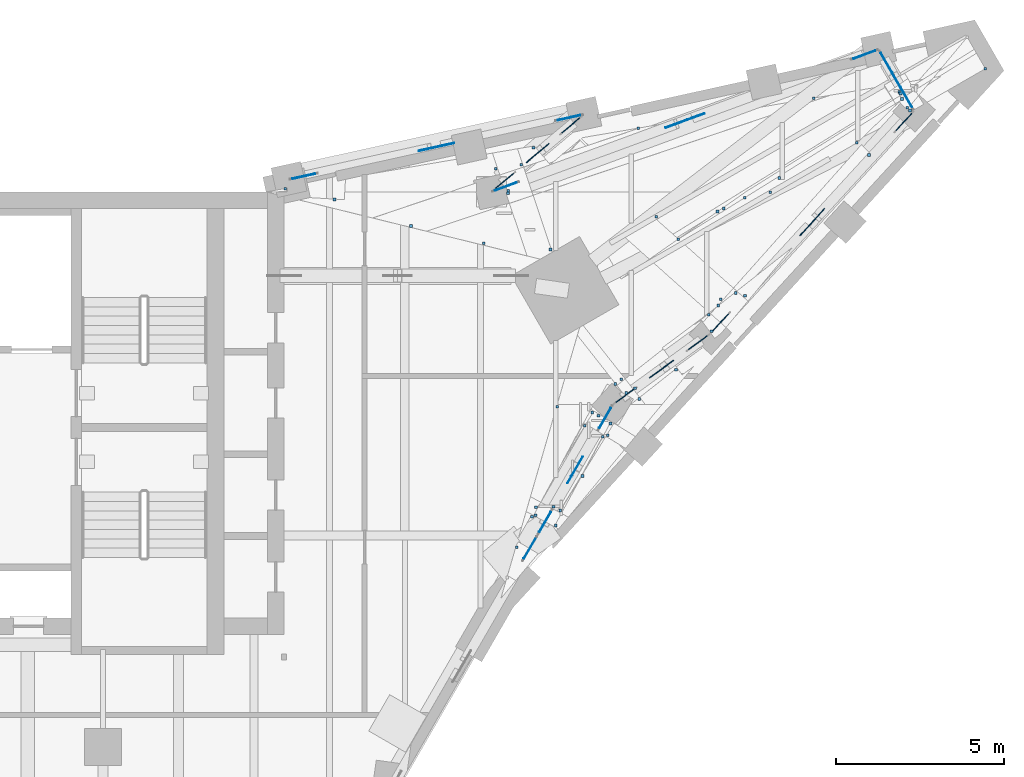
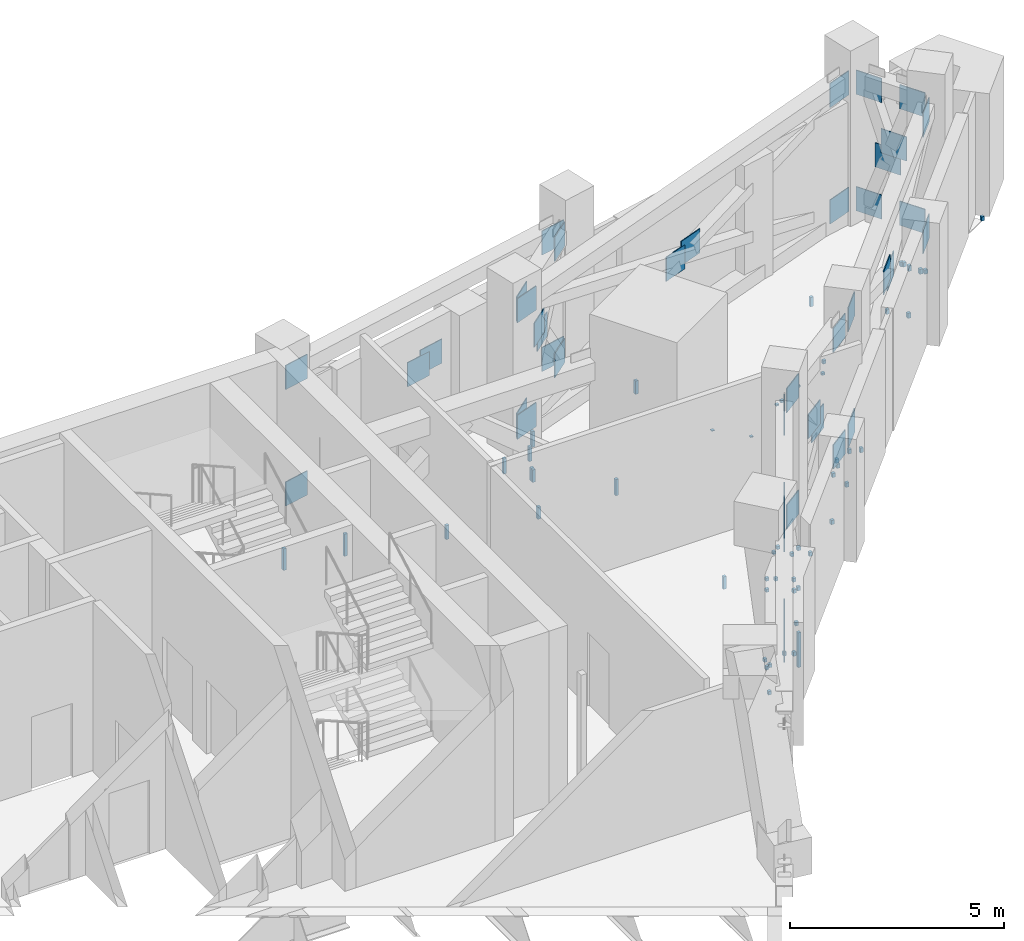
# One storey, part 20 of 23: 98 discrete accessories.
"""IFC4 building model written with IfcOpenShell, lengths in metres."""

from ifc_helpers import new_model, si_unit, direction, frame, origin, origin_2d, place, context, subcontext, project, spatial, rectangle, extrude, material, type_object, element, save


model = new_model("IFC4")

# Units and contexts
model_context = context("Model", 3, precision=1e-05, world=origin(), true_north=direction((0.0, 1.0)))
body_context = subcontext(model_context, "Body", "Model", "MODEL_VIEW")
ifc_project = project(units=[si_unit("LENGTHUNIT", "METRE"), si_unit("AREAUNIT", "SQUARE_METRE"), si_unit("VOLUMEUNIT", "CUBIC_METRE"), si_unit("PLANEANGLEUNIT", "RADIAN"), si_unit("MASSUNIT", "GRAM", prefix="KILO")], contexts=[model_context])

# Site, building, storey
site_placement = place(None, origin())
site = spatial("IfcSite", under=ifc_project, at=site_placement, CompositionType="ELEMENT")
building_placement = place(site_placement, origin())
building = spatial("IfcBuilding", under=site, at=building_placement, Name="Calabash Gate Tower", CompositionType="ELEMENT")
storey_placement = place(building_placement, frame((0.0, 0.0, 243.199951171875)))
storey = spatial("IfcBuildingStorey", under=building, at=storey_placement, Name="L58", CompositionType="ELEMENT", Elevation=243.199951171875)

# Discrete accessories
ifc_material_1 = material(Name="Steel ASTM A572 Gr50", Category="steel")
discrete_accessory_type_1 = type_object("IfcDiscreteAccessoryType", Name="Connection plate 25", PredefinedType="BRACKET", material=ifc_material_1)
for number, where, z_axis, x_axis, name in (
    (1, (21.715576171875, 8.4130859375, 3.3798828125), (0.0, 0.0, 1.0), (0.500000045345, 0.866025377604, 0.0), "Connection plate Belt diagonal L58 43 end"),
    (2, (21.715576171875, 8.4130859375, 0.0625), (0.0, 0.0, 1.0), (0.50000018138, 0.866025299065, 0.0), "Connection plate Belt diagonal (split) L58 45 half 2 of 2 end"),
    (3, (22.176513671875, 9.211181640625, 0.0625), (0.0, 0.0, 1.0), (0.50000009069, 0.866025351425, 0.0), "Connection plate Belt diagonal L58 48 start"),
    (4, (23.965576171875, 12.31005859375, 3.3798828125), (0.0, 0.0, 1.0), (0.50000009069, 0.866025351425, 0.0), "Connection plate Belt diagonal L58 48 end"),
    (5, (22.176513671875, 9.211181640625, 3.3798828125), (0.0, 0.0, 1.0), (0.49999987908, 0.866025473598, 0.0), "Connection plate Belt diagonal (split) L58 49 half 1 of 2 start"),
    (6, (23.014892578125, 10.66357421875, 1.8251953125), (0.0, 0.0, 1.0), (0.49999987908, 0.866025473598, 0.0), "Connection plate Belt diagonal (split) L58 49 half 1 of 2 end"),
    (7, (23.126953125, 10.857666015625, 1.6171875), (0.0, 0.0, 1.0), (0.49999987908, 0.866025473598, 0.0), "Connection plate Belt diagonal (split) L58 50 half 2 of 2 start"),
    (8, (23.965576171875, 12.31005859375, 0.0625), (0.0, 0.0, 1.0), (0.49999987908, 0.866025473598, 0.0), "Connection plate Belt diagonal (split) L58 50 half 2 of 2 end"),
    (9, (24.5673828125, 12.9794921875, 0.0625), (0.0, 0.0, 1.0), (0.808482218213, 0.588520605276, 0.0), "Connection plate Belt diagonal L58 53 start"),
    (10, (26.73291015625, 14.555908203125, 3.3798828125), (0.0, 0.0, 1.0), (0.808482218213, 0.588520605276, 0.0), "Connection plate Belt diagonal L58 53 end"),
    (11, (24.5673828125, 12.9794921875, 3.3798828125), (0.0, 0.0, 1.0), (0.808482033323, 0.588520859268, 0.0), "Connection plate Belt diagonal (split) L58 54 half 1 of 2 start"),
    (12, (25.571044921875, 13.710205078125, 1.84228515625), (0.0, 0.0, 1.0), (0.808482033323, 0.588520859268, 0.0), "Connection plate Belt diagonal (split) L58 54 half 1 of 2 end"),
    (13, (25.729248046875, 13.825439453125, 1.60009765625), (0.0, 0.0, 1.0), (0.808482033323, 0.588520859268, 0.0), "Connection plate Belt diagonal (split) L58 55 half 2 of 2 start"),
    (14, (26.73291015625, 14.555908203125, 0.0625), (0.0, 0.0, 1.0), (0.808482033323, 0.588520859268, 0.0), "Connection plate Belt diagonal (split) L58 55 half 2 of 2 end"),
    (15, (27.407958984375, 15.158203125, 0.0625), (0.0, 0.0, 1.0), (0.674856054399, 0.737949392466, 0.0), "Connection plate Belt diagonal L58 58 start"),
    (16, (32.874267578125, 21.1357421875, 3.3798828125), (0.0, 0.0, 1.0), (0.674856054399, 0.737949392466, 0.0), "Connection plate Belt diagonal L58 58 end"),
    (17, (27.407958984375, 15.158203125, 3.3798828125), (0.0, 0.0, 1.0), (0.674856067279, 0.737949380687, 0.0), "Connection plate Belt diagonal (split) L58 59 half 1 of 2 start"),
    (18, (30.00537109375, 17.99853515625, 1.8037109375), (0.0, 0.0, 1.0), (0.674856067279, 0.737949380687, 0.0), "Connection plate Belt diagonal (split) L58 59 half 1 of 2 end"),
    (19, (30.27685546875, 18.29541015625, 1.638671875), (0.0, 0.0, 1.0), (0.674856067279, 0.737949380687, 0.0), "Connection plate Belt diagonal (split) L58 60 half 2 of 2 start"),
    (20, (32.874267578125, 21.1357421875, 0.0625), (0.0, 0.0, 1.0), (0.674856067279, 0.737949380687, 0.0), "Connection plate Belt diagonal (split) L58 60 half 2 of 2 end"),
    (21, (32.94189453125, 21.87646484375, 0.0625), (0.0, 0.0, 1.0), (-0.49999981862, 0.866025508504, 0.0), "Connection plate Belt diagonal L58 63 start"),
    (22, (32.357421875, 22.88916015625, 3.3798828125), (0.0, 0.0, 1.0), (-0.49999981862, 0.866025508504, 0.0), "Connection plate Belt diagonal L58 63 end"),
    (23, (32.94189453125, 21.87646484375, 3.3798828125), (0.0, 0.0, 1.0), (-0.49999975816, 0.866025543411, 0.0), "Connection plate Belt diagonal (split) L58 64 half 1 of 2 start"),
    (24, (32.68994140625, 22.312744140625, 1.9501953125), (0.0, 0.0, 1.0), (-0.49999975816, 0.866025543411, 0.0), "Connection plate Belt diagonal (split) L58 64 half 1 of 2 end"),
    (25, (32.609130859375, 22.452880859375, 1.4921875), (0.0, 0.0, 1.0), (-0.49999975816, 0.866025543411, 0.0), "Connection plate Belt diagonal (split) L58 65 half 2 of 2 start"),
    (26, (32.357421875, 22.88916015625, 0.0625), (0.0, 0.0, 1.0), (-0.49999975816, 0.866025543411, 0.0), "Connection plate Belt diagonal (split) L58 65 half 2 of 2 end"),
    (27, (31.695068359375, 23.14111328125, 0.0625), (0.0, 0.0, 1.0), (-0.938551160023, -0.345140145478, 0.0), "Connection plate Belt diagonal L58 68 start"),
    (28, (21.003173828125, 19.209228515625, 3.3798828125), (0.0, 0.0, 1.0), (-0.938551160023, -0.345140145478, 0.0), "Connection plate Belt diagonal L58 68 end"),
    (29, (31.695068359375, 23.14111328125, 3.3798828125), (0.0, 0.0, 1.0), (-0.938551166046, -0.345140129097, 0.0), "Connection plate Belt diagonal (split) L58 69 half 1 of 2 start"),
    (30, (26.60498046875, 21.269287109375, 1.80078125), (0.0, 0.0, 1.0), (-0.938551166046, -0.345140129097, 0.0), "Connection plate Belt diagonal (split) L58 69 half 1 of 2 end"),
    (31, (26.09326171875, 21.0810546875, 1.6416015625), (0.0, 0.0, 1.0), (-0.938551166046, -0.345140129097, 0.0), "Connection plate Belt diagonal (split) L58 70 half 2 of 2 start"),
    (32, (21.003173828125, 19.209228515625, 0.0625), (0.0, 0.0, 1.0), (-0.938551166046, -0.345140129097, 0.0), "Connection plate Belt diagonal (split) L58 70 half 2 of 2 end"),
    (33, (20.966064453125, 19.378173828125, 0.0625), (0.0, 0.0, 1.0), (0.766903641735, 0.641762264623, 0.0), "Connection plate Belt diagonal L58 73 start"),
    (34, (22.94384765625, 21.033203125, 3.3798828125), (0.0, 0.0, 1.0), (0.766903641735, 0.641762264623, 0.0), "Connection plate Belt diagonal L58 73 end"),
    (35, (20.966064453125, 19.378173828125, 3.3798828125), (0.0, 0.0, 1.0), (0.766903428918, 0.641762518938, 0.0), "Connection plate Belt diagonal (split) L58 74 half 1 of 2 start"),
    (36, (21.880859375, 20.1435546875, 1.84521484375), (0.0, 0.0, 1.0), (0.766903428918, 0.641762518938, 0.0), "Connection plate Belt diagonal (split) L58 74 half 1 of 2 end"),
    (37, (22.02880859375, 20.267578125, 1.59716796875), (0.0, 0.0, 1.0), (0.766903428918, 0.641762518938, 0.0), "Connection plate Belt diagonal (split) L58 75 half 2 of 2 start"),
    (38, (22.94384765625, 21.033203125, 0.0625), (0.0, 0.0, 1.0), (0.766903428918, 0.641762518938, 0.0), "Connection plate Belt diagonal (split) L58 75 half 2 of 2 end"),
    (39, (22.893310546875, 21.26171875, 0.0625), (0.0, 0.0, 1.0), (-0.976510974107, -0.215467671471, 0.0), "Connection plate Belt diagonal L58 78 start"),
    (40, (14.983642578125, 19.516357421875, 3.3798828125), (0.0, 0.0, 1.0), (-0.976510974107, -0.215467671471, 0.0), "Connection plate Belt diagonal L58 78 end"),
    (41, (22.893310546875, 21.26171875, 3.3798828125), (0.0, 0.0, 1.0), (-0.976510974107, -0.215467671471, 0.0), "Connection plate Belt diagonal (split) L58 79 half 1 of 2 start"),
    (42, (19.134765625, 20.432373046875, 1.8037109375), (0.0, 0.0, 1.0), (-0.976510974107, -0.215467671471, 0.0), "Connection plate Belt diagonal (split) L58 79 half 1 of 2 end"),
    (43, (18.7421875, 20.345703125, 1.638671875), (0.0, 0.0, 1.0), (-0.976510974107, -0.215467671471, 0.0), "Connection plate Belt diagonal (split) L58 80 half 2 of 2 start"),
    (44, (14.983642578125, 19.516357421875, 0.0625), (0.0, 0.0, 1.0), (-0.976510974107, -0.215467671471, 0.0), "Connection plate Belt diagonal (split) L58 80 half 2 of 2 end"),
):
    element("IfcDiscreteAccessory", number, at=place(storey_placement, frame(where, z_axis=z_axis, x_axis=x_axis)), inside=storey, type_object=discrete_accessory_type_1, Name=name, PredefinedType="BRACKET", context=body_context, shape_type="SweptSolid", body=[
        extrude(rectangle(XDim=0.687744140625, YDim=0.02490234375, at=origin_2d()), origin(), (0.0, 0.0, 1.0), 0.687744140625),
    ])
ifc_material_2 = material(Name="Stainless steel 316 bracket", Category="steel")
discrete_accessory_type_2 = type_object("IfcDiscreteAccessoryType", Name="Soffit bracket 80x80x120", PredefinedType="BRACKET", material=ifc_material_2)
discrete_accessory_1_placement = place(storey_placement, frame((29.15966796875, 19.46533203125, -0.960693359375), z_axis=(0.0, 0.0, 1.0), x_axis=(1.0, 0.0, 0.0)))
element("IfcDiscreteAccessory", 45, at=discrete_accessory_1_placement, inside=storey, type_object=discrete_accessory_type_2, Name="Soffit bracket Z5 NE SOF-Z5-NE-01", PredefinedType="BRACKET", context=body_context, shape_type="SweptSolid", body=[
    extrude(rectangle(XDim=0.080078125, YDim=0.080078125, at=origin_2d()), origin(), (0.0, 0.0, 1.0), 0.0908203125),
])
discrete_accessory_2_placement = place(storey_placement, frame((28.885986328125, 19.042724609375, -0.933349609375), z_axis=(0.0, 0.0, 1.0), x_axis=(1.0, 0.0, 0.0)))
element("IfcDiscreteAccessory", 46, at=discrete_accessory_2_placement, inside=storey, type_object=discrete_accessory_type_2, Name="Soffit bracket Z5 NE SOF-Z5-NE-02", PredefinedType="BRACKET", context=body_context, shape_type="SweptSolid", body=[
    extrude(rectangle(XDim=0.080078125, YDim=0.080078125, at=origin_2d()), origin(), (0.0, 0.0, 1.0), 0.0634765625),
])
discrete_accessory_3_placement = place(storey_placement, frame((31.47314453125, 20.51953125, -0.99755859375), z_axis=(0.0, 0.0, 1.0), x_axis=(1.0, 0.0, 0.0)))
element("IfcDiscreteAccessory", 47, at=discrete_accessory_3_placement, inside=storey, type_object=discrete_accessory_type_2, Name="Soffit bracket Z5 NE SOF-Z5-NE-03", PredefinedType="BRACKET", context=body_context, shape_type="SweptSolid", body=[
    extrude(rectangle(XDim=0.080078125, YDim=0.080078125, at=origin_2d()), origin(), (0.0, 0.0, 1.0), 0.127685546875),
])
discrete_accessory_4_placement = place(storey_placement, frame((27.31591796875, 18.467529296875, -0.91162109375), z_axis=(0.0, 0.0, 1.0), x_axis=(1.0, 0.0, 0.0)))
element("IfcDiscreteAccessory", 48, at=discrete_accessory_4_placement, inside=storey, type_object=discrete_accessory_type_2, Name="Soffit bracket Z5 NE SOF-Z5-NE-05", PredefinedType="BRACKET", context=body_context, shape_type="SweptSolid", body=[
    extrude(rectangle(XDim=0.080078125, YDim=0.080078125, at=origin_2d()), origin(), (0.0, 0.0, 1.0), 0.041748046875),
])
discrete_accessory_5_placement = place(storey_placement, frame((30.189697265625, 21.84375, -1.1337890625), z_axis=(0.0, 0.0, 1.0), x_axis=(1.0, 0.0, 0.0)))
element("IfcDiscreteAccessory", 49, at=discrete_accessory_5_placement, inside=storey, type_object=discrete_accessory_type_2, Name="Soffit bracket Z5 NE SOF-Z5-NE-06", PredefinedType="BRACKET", context=body_context, shape_type="SweptSolid", body=[
    extrude(rectangle(XDim=0.080078125, YDim=0.080078125, at=origin_2d()), origin(), (0.0, 0.0, 1.0), 0.263916015625),
])
discrete_accessory_6_placement = place(storey_placement, frame((25.49072265625, 18.307861328125, -0.891845703125), z_axis=(0.0, 0.0, 1.0), x_axis=(1.0, 0.0, 0.0)))
element("IfcDiscreteAccessory", 50, at=discrete_accessory_6_placement, inside=storey, type_object=discrete_accessory_type_2, Name="Soffit bracket Z5 NE SOF-Z5-NE-07", PredefinedType="BRACKET", context=body_context, shape_type="SweptSolid", body=[
    extrude(rectangle(XDim=0.080078125, YDim=0.080078125, at=origin_2d()), origin(), (0.0, 0.0, 1.0), 0.02197265625),
])
discrete_accessory_7_placement = place(storey_placement, frame((27.41845703125, 15.85107421875, -0.98486328125), z_axis=(0.0, 0.0, 1.0), x_axis=(1.0, 0.0, 0.0)))
element("IfcDiscreteAccessory", 51, at=discrete_accessory_7_placement, inside=storey, type_object=discrete_accessory_type_2, Name="Soffit bracket Z5 NE SOF-Z5-NE-08", PredefinedType="BRACKET", context=body_context, shape_type="SweptSolid", body=[
    extrude(rectangle(XDim=0.080078125, YDim=0.080078125, at=origin_2d()), origin(), (0.0, 0.0, 1.0), 0.114990234375),
])
discrete_accessory_8_placement = place(storey_placement, frame((20.708740234375, 19.741943359375, -1.303466796875), z_axis=(0.0, 0.0, 1.0), x_axis=(1.0, 0.0, 0.0)))
element("IfcDiscreteAccessory", 52, at=discrete_accessory_8_placement, inside=storey, type_object=discrete_accessory_type_2, Name="Soffit bracket Z5 NE SOF-Z5-NE-09", PredefinedType="BRACKET", context=body_context, shape_type="SweptSolid", body=[
    extrude(rectangle(XDim=0.080078125, YDim=0.080078125, at=origin_2d()), origin(), (0.0, 0.0, 1.0), 0.43359375),
])
discrete_accessory_9_placement = place(storey_placement, frame((31.832275390625, 20.149658203125, -1.013427734375), z_axis=(0.0, 0.0, 1.0), x_axis=(1.0, 0.0, 0.0)))
element("IfcDiscreteAccessory", 53, at=discrete_accessory_9_placement, inside=storey, type_object=discrete_accessory_type_2, Name="Soffit bracket Z5 NE SOF-Z5-NE-10", PredefinedType="BRACKET", context=body_context, shape_type="SweptSolid", body=[
    extrude(rectangle(XDim=0.080078125, YDim=0.080078125, at=origin_2d()), origin(), (0.0, 0.0, 1.0), 0.1435546875),
])
discrete_accessory_10_placement = place(storey_placement, frame((26.1474609375, 17.637451171875, -0.89453125), z_axis=(0.0, 0.0, 1.0), x_axis=(1.0, 0.0, 0.0)))
element("IfcDiscreteAccessory", 54, at=discrete_accessory_10_placement, inside=storey, type_object=discrete_accessory_type_2, Name="Soffit bracket Z5 NE SOF-Z5-NE-11", PredefinedType="BRACKET", context=body_context, shape_type="SweptSolid", body=[
    extrude(rectangle(XDim=0.080078125, YDim=0.080078125, at=origin_2d()), origin(), (0.0, 0.0, 1.0), 0.024658203125),
])
discrete_accessory_11_placement = place(storey_placement, frame((20.35107421875, 17.52099609375, -1.119140625), z_axis=(0.0, 0.0, 1.0), x_axis=(1.0, 0.0, 0.0)))
element("IfcDiscreteAccessory", 55, at=discrete_accessory_11_placement, inside=storey, type_object=discrete_accessory_type_2, Name="Soffit bracket Z5 NE SOF-Z5-NE-12", PredefinedType="BRACKET", context=body_context, shape_type="SweptSolid", body=[
    extrude(rectangle(XDim=0.080078125, YDim=0.080078125, at=origin_2d()), origin(), (0.0, 0.0, 1.0), 0.34716796875),
])
discrete_accessory_12_placement = place(storey_placement, frame((18.179443359375, 18.033935546875, -1.24658203125), z_axis=(0.0, 0.0, 1.0), x_axis=(1.0, 0.0, 0.0)))
element("IfcDiscreteAccessory", 56, at=discrete_accessory_12_placement, inside=storey, type_object=discrete_accessory_type_2, Name="Soffit bracket Z5 NE SOF-Z5-NE-13", PredefinedType="BRACKET", context=body_context, shape_type="SweptSolid", body=[
    extrude(rectangle(XDim=0.080078125, YDim=0.080078125, at=origin_2d()), origin(), (0.0, 0.0, 1.0), 0.3984375),
])
discrete_accessory_13_placement = place(storey_placement, frame((22.537841796875, 12.64892578125, -0.9248046875), z_axis=(0.0, 0.0, 1.0), x_axis=(1.0, 0.0, 0.0)))
element("IfcDiscreteAccessory", 57, at=discrete_accessory_13_placement, inside=storey, type_object=discrete_accessory_type_2, Name="Soffit bracket Z5 NE SOF-Z5-NE-14", PredefinedType="BRACKET", context=body_context, shape_type="SweptSolid", body=[
    extrude(rectangle(XDim=0.080078125, YDim=0.080078125, at=origin_2d()), origin(), (0.0, 0.0, 1.0), 0.3564453125),
])
discrete_accessory_14_placement = place(storey_placement, frame((24.2646484375, 13.3232421875, -0.95458984375), z_axis=(0.0, 0.0, 1.0), x_axis=(1.0, 0.0, 0.0)))
element("IfcDiscreteAccessory", 58, at=discrete_accessory_14_placement, inside=storey, type_object=discrete_accessory_type_2, Name="Soffit bracket Z5 NE SOF-Z5-NE-15", PredefinedType="BRACKET", context=body_context, shape_type="SweptSolid", body=[
    extrude(rectangle(XDim=0.080078125, YDim=0.080078125, at=origin_2d()), origin(), (0.0, 0.0, 1.0), 0.084716796875),
])
discrete_accessory_15_placement = place(storey_placement, frame((15.897216796875, 18.823486328125, -1.40283203125), z_axis=(0.0, 0.0, 1.0), x_axis=(1.0, 0.0, 0.0)))
element("IfcDiscreteAccessory", 59, at=discrete_accessory_15_placement, inside=storey, type_object=discrete_accessory_type_2, Name="Soffit bracket Z5 NE SOF-Z5-NE-16", PredefinedType="BRACKET", context=body_context, shape_type="SweptSolid", body=[
    extrude(rectangle(XDim=0.080078125, YDim=0.080078125, at=origin_2d()), origin(), (0.0, 0.0, 1.0), 0.630859375),
])
discrete_accessory_16_placement = place(storey_placement, frame((22.4306640625, 9.65966796875, -0.977783203125), z_axis=(0.0, 0.0, 1.0), x_axis=(1.0, 0.0, 0.0)))
element("IfcDiscreteAccessory", 60, at=discrete_accessory_16_placement, inside=storey, type_object=discrete_accessory_type_2, Name="Soffit bracket Z5 NE SOF-Z5-NE-17", PredefinedType="BRACKET", context=body_context, shape_type="SweptSolid", body=[
    extrude(rectangle(XDim=0.080078125, YDim=0.080078125, at=origin_2d()), origin(), (0.0, 0.0, 1.0), 0.10791015625),
])
discrete_accessory_17_placement = place(storey_placement, frame((22.339599609375, 17.33154296875, -1.02734375), z_axis=(0.0, 0.0, 1.0), x_axis=(1.0, 0.0, 0.0)))
element("IfcDiscreteAccessory", 61, at=discrete_accessory_17_placement, inside=storey, type_object=discrete_accessory_type_2, Name="Soffit bracket Z5 NE SOF-Z5-NE-18", PredefinedType="BRACKET", context=body_context, shape_type="SweptSolid", body=[
    extrude(rectangle(XDim=0.080078125, YDim=0.080078125, at=origin_2d()), origin(), (0.0, 0.0, 1.0), 0.458984375),
])
discrete_accessory_18_placement = place(storey_placement, frame((23.29150390625, 10.58251953125, -0.981689453125), z_axis=(0.0, 0.0, 1.0), x_axis=(1.0, 0.0, 0.0)))
element("IfcDiscreteAccessory", 62, at=discrete_accessory_18_placement, inside=storey, type_object=discrete_accessory_type_2, Name="Soffit bracket Z5 NE SOF-Z5-NE-19", PredefinedType="BRACKET", context=body_context, shape_type="SweptSolid", body=[
    extrude(rectangle(XDim=0.080078125, YDim=0.080078125, at=origin_2d()), origin(), (0.0, 0.0, 1.0), 0.11181640625),
])
discrete_accessory_19_placement = place(storey_placement, frame((27.501220703125, 18.5556640625, -0.936767578125), z_axis=(0.0, 0.0, 1.0), x_axis=(1.0, 0.0, 0.0)))
element("IfcDiscreteAccessory", 63, at=discrete_accessory_19_placement, inside=storey, type_object=discrete_accessory_type_2, Name="Soffit bracket Z5 NE SOF-Z5-NE-20", PredefinedType="BRACKET", context=body_context, shape_type="SweptSolid", body=[
    extrude(rectangle(XDim=0.080078125, YDim=0.080078125, at=origin_2d()), origin(), (0.0, 0.0, 1.0), 0.06689453125),
])
discrete_accessory_20_placement = place(storey_placement, frame((24.859130859375, 13.198486328125, -0.971435546875), z_axis=(0.0, 0.0, 1.0), x_axis=(1.0, 0.0, 0.0)))
element("IfcDiscreteAccessory", 64, at=discrete_accessory_20_placement, inside=storey, type_object=discrete_accessory_type_2, Name="Soffit bracket Z5 NE SOF-Z5-NE-22", PredefinedType="BRACKET", context=body_context, shape_type="SweptSolid", body=[
    extrude(rectangle(XDim=0.080078125, YDim=0.080078125, at=origin_2d()), origin(), (0.0, 0.0, 1.0), 0.1015625),
])
discrete_accessory_21_placement = place(storey_placement, frame((28.13134765625, 18.879638671875, -0.922607421875), z_axis=(0.0, 0.0, 1.0), x_axis=(1.0, 0.0, 0.0)))
element("IfcDiscreteAccessory", 65, at=discrete_accessory_21_placement, inside=storey, type_object=discrete_accessory_type_2, Name="Soffit bracket Z5 NE SOF-Z5-NE-23", PredefinedType="BRACKET", context=body_context, shape_type="SweptSolid", body=[
    extrude(rectangle(XDim=0.080078125, YDim=0.080078125, at=origin_2d()), origin(), (0.0, 0.0, 1.0), 0.052734375),
])
discrete_accessory_22_placement = place(storey_placement, frame((26.080322265625, 13.75048828125, -0.9912109375), z_axis=(0.0, 0.0, 1.0), x_axis=(1.0, 0.0, 0.0)))
element("IfcDiscreteAccessory", 66, at=discrete_accessory_22_placement, inside=storey, type_object=discrete_accessory_type_2, Name="Soffit bracket Z5 NE SOF-Z5-NE-26", PredefinedType="BRACKET", context=body_context, shape_type="SweptSolid", body=[
    extrude(rectangle(XDim=0.080078125, YDim=0.080078125, at=origin_2d()), origin(), (0.0, 0.0, 1.0), 0.121337890625),
])
discrete_accessory_23_placement = place(storey_placement, frame((24.452392578125, 13.462646484375, -0.95654296875), z_axis=(0.0, 0.0, 1.0), x_axis=(1.0, 0.0, 0.0)))
element("IfcDiscreteAccessory", 67, at=discrete_accessory_23_placement, inside=storey, type_object=discrete_accessory_type_2, Name="Soffit bracket Z5 NE SOF-Z5-NE-27", PredefinedType="BRACKET", context=body_context, shape_type="SweptSolid", body=[
    extrude(rectangle(XDim=0.080078125, YDim=0.080078125, at=origin_2d()), origin(), (0.0, 0.0, 1.0), 0.086669921875),
])
discrete_accessory_24_placement = place(storey_placement, frame((27.865478515625, 16.03857421875, -0.992431640625), z_axis=(0.0, 0.0, 1.0), x_axis=(1.0, 0.0, 0.0)))
element("IfcDiscreteAccessory", 68, at=discrete_accessory_24_placement, inside=storey, type_object=discrete_accessory_type_2, Name="Soffit bracket Z5 NE SOF-Z5-NE-28", PredefinedType="BRACKET", context=body_context, shape_type="SweptSolid", body=[
    extrude(rectangle(XDim=0.080078125, YDim=0.080078125, at=origin_2d()), origin(), (0.0, 0.0, 1.0), 0.12255859375),
])
discrete_accessory_25_placement = place(storey_placement, frame((21.33056640625, 8.456298828125, -0.97314453125), z_axis=(0.0, 0.0, 1.0), x_axis=(1.0, 0.0, 0.0)))
element("IfcDiscreteAccessory", 69, at=discrete_accessory_25_placement, inside=storey, type_object=discrete_accessory_type_2, Name="Soffit bracket Z5 NE SOF-Z5-NE-29", PredefinedType="BRACKET", context=body_context, shape_type="SweptSolid", body=[
    extrude(rectangle(XDim=0.080078125, YDim=0.080078125, at=origin_2d()), origin(), (0.0, 0.0, 1.0), 0.103271484375),
])
discrete_accessory_26_placement = place(storey_placement, frame((21.462890625, 19.861083984375, -1.28564453125), z_axis=(0.0, 0.0, 1.0), x_axis=(1.0, 0.0, 0.0)))
element("IfcDiscreteAccessory", 70, at=discrete_accessory_26_placement, inside=storey, type_object=discrete_accessory_type_2, Name="Soffit bracket Z5 NE SOF-Z5-NE-30", PredefinedType="BRACKET", context=body_context, shape_type="SweptSolid", body=[
    extrude(rectangle(XDim=0.080078125, YDim=0.080078125, at=origin_2d()), origin(), (0.0, 0.0, 1.0), 0.415771484375),
])
discrete_accessory_27_placement = place(storey_placement, frame((28.136962890625, 15.95458984375, -1.000732421875), z_axis=(0.0, 0.0, 1.0), x_axis=(1.0, 0.0, 0.0)))
element("IfcDiscreteAccessory", 71, at=discrete_accessory_27_placement, inside=storey, type_object=discrete_accessory_type_2, Name="Soffit bracket Z5 NE SOF-Z5-NE-31", PredefinedType="BRACKET", context=body_context, shape_type="SweptSolid", body=[
    extrude(rectangle(XDim=0.080078125, YDim=0.080078125, at=origin_2d()), origin(), (0.0, 0.0, 1.0), 0.130859375),
])
discrete_accessory_28_placement = place(storey_placement, frame((21.0771484375, 19.0859375, -1.231201171875), z_axis=(0.0, 0.0, 1.0), x_axis=(1.0, 0.0, 0.0)))
element("IfcDiscreteAccessory", 72, at=discrete_accessory_28_placement, inside=storey, type_object=discrete_accessory_type_2, Name="Soffit bracket Z5 NE SOF-Z5-NE-32", PredefinedType="BRACKET", context=body_context, shape_type="SweptSolid", body=[
    extrude(rectangle(XDim=0.080078125, YDim=0.080078125, at=origin_2d()), origin(), (0.0, 0.0, 1.0), 0.361328125),
])
discrete_accessory_29_placement = place(storey_placement, frame((32.816162109375, 21.818359375, -1.03271484375), z_axis=(0.0, 0.0, 1.0), x_axis=(1.0, 0.0, 0.0)))
element("IfcDiscreteAccessory", 73, at=discrete_accessory_29_placement, inside=storey, type_object=discrete_accessory_type_2, Name="Soffit bracket Z5 NE SOF-Z5-NE-33", PredefinedType="BRACKET", context=body_context, shape_type="SweptSolid", body=[
    extrude(rectangle(XDim=0.080078125, YDim=0.080078125, at=origin_2d()), origin(), (0.0, 0.0, 1.0), 0.162841796875),
])
discrete_accessory_30_placement = place(storey_placement, frame((24.042724609375, 11.7939453125, -0.9775390625), z_axis=(0.0, 0.0, 1.0), x_axis=(1.0, 0.0, 0.0)))
element("IfcDiscreteAccessory", 74, at=discrete_accessory_30_placement, inside=storey, type_object=discrete_accessory_type_2, Name="Soffit bracket Z5 NE SOF-Z5-NE-36", PredefinedType="BRACKET", context=body_context, shape_type="SweptSolid", body=[
    extrude(rectangle(XDim=0.080078125, YDim=0.080078125, at=origin_2d()), origin(), (0.0, 0.0, 1.0), 0.107666015625),
])
discrete_accessory_31_placement = place(storey_placement, frame((21.83251953125, 20.36865234375, -1.31689453125), z_axis=(0.0, 0.0, 1.0), x_axis=(1.0, 0.0, 0.0)))
element("IfcDiscreteAccessory", 75, at=discrete_accessory_31_placement, inside=storey, type_object=discrete_accessory_type_2, Name="Soffit bracket Z5 NE SOF-Z5-NE-37", PredefinedType="BRACKET", context=body_context, shape_type="SweptSolid", body=[
    extrude(rectangle(XDim=0.080078125, YDim=0.080078125, at=origin_2d()), origin(), (0.0, 0.0, 1.0), 0.447021484375),
])
discrete_accessory_32_placement = place(storey_placement, frame((32.732177734375, 22.0283203125, -1.00048828125), z_axis=(0.0, 0.0, 1.0), x_axis=(1.0, 0.0, 0.0)))
element("IfcDiscreteAccessory", 76, at=discrete_accessory_32_placement, inside=storey, type_object=discrete_accessory_type_2, Name="Soffit bracket Z5 NE SOF-Z5-NE-38", PredefinedType="BRACKET", context=body_context, shape_type="SweptSolid", body=[
    extrude(rectangle(XDim=0.080078125, YDim=0.080078125, at=origin_2d()), origin(), (0.0, 0.0, 1.0), 0.130615234375),
])
discrete_accessory_33_placement = place(storey_placement, frame((21.894287109375, 9.407958984375, -0.96923828125), z_axis=(0.0, 0.0, 1.0), x_axis=(1.0, 0.0, 0.0)))
element("IfcDiscreteAccessory", 77, at=discrete_accessory_33_placement, inside=storey, type_object=discrete_accessory_type_2, Name="Soffit bracket Z5 NE SOF-Z5-NE-39", PredefinedType="BRACKET", context=body_context, shape_type="SweptSolid", body=[
    extrude(rectangle(XDim=0.080078125, YDim=0.080078125, at=origin_2d()), origin(), (0.0, 0.0, 1.0), 0.099365234375),
])
discrete_accessory_34_placement = place(storey_placement, frame((23.77197265625, 12.3740234375, -0.960205078125), z_axis=(0.0, 0.0, 1.0), x_axis=(1.0, 0.0, 0.0)))
element("IfcDiscreteAccessory", 78, at=discrete_accessory_34_placement, inside=storey, type_object=discrete_accessory_type_2, Name="Soffit bracket Z5 NE SOF-Z5-NE-41", PredefinedType="BRACKET", context=body_context, shape_type="SweptSolid", body=[
    extrude(rectangle(XDim=0.080078125, YDim=0.080078125, at=origin_2d()), origin(), (0.0, 0.0, 1.0), 0.09033203125),
])
discrete_accessory_35_placement = place(storey_placement, frame((27.138671875, 14.895751953125, -0.995849609375), z_axis=(0.0, 0.0, 1.0), x_axis=(1.0, 0.0, 0.0)))
element("IfcDiscreteAccessory", 79, at=discrete_accessory_35_placement, inside=storey, type_object=discrete_accessory_type_2, Name="Soffit bracket Z5 NE SOF-Z5-NE-42", PredefinedType="BRACKET", context=body_context, shape_type="SweptSolid", body=[
    extrude(rectangle(XDim=0.080078125, YDim=0.080078125, at=origin_2d()), origin(), (0.0, 0.0, 1.0), 0.1259765625),
])
discrete_accessory_36_placement = place(storey_placement, frame((33.05810546875, 21.47900390625, -0.9892578125), z_axis=(0.0, 0.0, 1.0), x_axis=(1.0, 0.0, 0.0)))
element("IfcDiscreteAccessory", 80, at=discrete_accessory_36_placement, inside=storey, type_object=discrete_accessory_type_2, Name="Soffit bracket Z5 NE SOF-Z5-NE-43", PredefinedType="BRACKET", context=body_context, shape_type="SweptSolid", body=[
    extrude(rectangle(XDim=0.080078125, YDim=0.080078125, at=origin_2d()), origin(), (0.0, 0.0, 1.0), 0.119384765625),
])
discrete_accessory_37_placement = place(storey_placement, frame((24.95458984375, 20.948974609375, -1.251220703125), z_axis=(0.0, 0.0, 1.0), x_axis=(1.0, 0.0, 0.0)))
element("IfcDiscreteAccessory", 81, at=discrete_accessory_37_placement, inside=storey, type_object=discrete_accessory_type_2, Name="Soffit bracket Z5 NE SOF-Z5-NE-44", PredefinedType="BRACKET", context=body_context, shape_type="SweptSolid", body=[
    extrude(rectangle(XDim=0.080078125, YDim=0.080078125, at=origin_2d()), origin(), (0.0, 0.0, 1.0), 0.38134765625),
])
discrete_accessory_38_placement = place(storey_placement, frame((32.7705078125, 21.98486328125, -0.9892578125), z_axis=(0.0, 0.0, 1.0), x_axis=(1.0, 0.0, 0.0)))
element("IfcDiscreteAccessory", 82, at=discrete_accessory_38_placement, inside=storey, type_object=discrete_accessory_type_2, Name="Soffit bracket Z5 NE SOF-Z5-NE-45", PredefinedType="BRACKET", context=body_context, shape_type="SweptSolid", body=[
    extrude(rectangle(XDim=0.080078125, YDim=0.080078125, at=origin_2d()), origin(), (0.0, 0.0, 1.0), 0.119384765625),
])
discrete_accessory_39_placement = place(storey_placement, frame((24.598876953125, 13.057861328125, -0.9677734375), z_axis=(0.0, 0.0, 1.0), x_axis=(1.0, 0.0, 0.0)))
element("IfcDiscreteAccessory", 83, at=discrete_accessory_39_placement, inside=storey, type_object=discrete_accessory_type_2, Name="Soffit bracket Z5 NE SOF-Z5-NE-46", PredefinedType="BRACKET", context=body_context, shape_type="SweptSolid", body=[
    extrude(rectangle(XDim=0.080078125, YDim=0.080078125, at=origin_2d()), origin(), (0.0, 0.0, 1.0), 0.097900390625),
])
discrete_accessory_40_placement = place(storey_placement, frame((21.071044921875, 19.012451171875, -1.224853515625), z_axis=(0.0, 0.0, 1.0), x_axis=(1.0, 0.0, 0.0)))
element("IfcDiscreteAccessory", 84, at=discrete_accessory_40_placement, inside=storey, type_object=discrete_accessory_type_2, Name="Soffit bracket Z5 NE SOF-Z5-NE-47", PredefinedType="BRACKET", context=body_context, shape_type="SweptSolid", body=[
    extrude(rectangle(XDim=0.080078125, YDim=0.080078125, at=origin_2d()), origin(), (0.0, 0.0, 1.0), 0.35498046875),
])
discrete_accessory_41_placement = place(storey_placement, frame((32.974609375, 21.562255859375, -1.01513671875), z_axis=(0.0, 0.0, 1.0), x_axis=(1.0, 0.0, 0.0)))
element("IfcDiscreteAccessory", 85, at=discrete_accessory_41_placement, inside=storey, type_object=discrete_accessory_type_2, Name="Soffit bracket Z5 NE SOF-Z5-NE-49", PredefinedType="BRACKET", context=body_context, shape_type="SweptSolid", body=[
    extrude(rectangle(XDim=0.080078125, YDim=0.080078125, at=origin_2d()), origin(), (0.0, 0.0, 1.0), 0.145263671875),
])
discrete_accessory_42_placement = place(storey_placement, frame((21.905517578125, 9.6513671875, -0.96484375), z_axis=(0.0, 0.0, 1.0), x_axis=(1.0, 0.0, 0.0)))
element("IfcDiscreteAccessory", 86, at=discrete_accessory_42_placement, inside=storey, type_object=discrete_accessory_type_2, Name="Soffit bracket Z5 NE SOF-Z5-NE-50", PredefinedType="BRACKET", context=body_context, shape_type="SweptSolid", body=[
    extrude(rectangle(XDim=0.080078125, YDim=0.080078125, at=origin_2d()), origin(), (0.0, 0.0, 1.0), 0.094970703125),
])
discrete_accessory_43_placement = place(storey_placement, frame((22.49853515625, 9.106201171875, -0.98974609375), z_axis=(0.0, 0.0, 1.0), x_axis=(1.0, 0.0, 0.0)))
element("IfcDiscreteAccessory", 87, at=discrete_accessory_43_placement, inside=storey, type_object=discrete_accessory_type_2, Name="Soffit bracket Z5 NE SOF-Z5-NE-54", PredefinedType="BRACKET", context=body_context, shape_type="SweptSolid", body=[
    extrude(rectangle(XDim=0.080078125, YDim=0.080078125, at=origin_2d()), origin(), (0.0, 0.0, 1.0), 0.99169921875),
])
discrete_accessory_44_placement = place(storey_placement, frame((21.787841796875, 9.3623046875, -0.967529296875), z_axis=(0.0, 0.0, 1.0), x_axis=(1.0, 0.0, 0.0)))
element("IfcDiscreteAccessory", 88, at=discrete_accessory_44_placement, inside=storey, type_object=discrete_accessory_type_2, Name="Soffit bracket Z5 NE SOF-Z5-NE-55", PredefinedType="BRACKET", context=body_context, shape_type="SweptSolid", body=[
    extrude(rectangle(XDim=0.080078125, YDim=0.080078125, at=origin_2d()), origin(), (0.0, 0.0, 1.0), 0.09765625),
])
discrete_accessory_45_placement = place(storey_placement, frame((23.362060546875, 12.080810546875, -0.95556640625), z_axis=(0.0, 0.0, 1.0), x_axis=(1.0, 0.0, 0.0)))
element("IfcDiscreteAccessory", 89, at=discrete_accessory_45_placement, inside=storey, type_object=discrete_accessory_type_2, Name="Soffit bracket Z5 NE SOF-Z5-NE-58", PredefinedType="BRACKET", context=body_context, shape_type="SweptSolid", body=[
    extrude(rectangle(XDim=0.080078125, YDim=0.080078125, at=origin_2d()), origin(), (0.0, 0.0, 1.0), 0.085693359375),
])
discrete_accessory_46_placement = place(storey_placement, frame((22.630126953125, 9.5517578125, -0.984619140625), z_axis=(0.0, 0.0, 1.0), x_axis=(1.0, 0.0, 0.0)))
element("IfcDiscreteAccessory", 90, at=discrete_accessory_46_placement, inside=storey, type_object=discrete_accessory_type_2, Name="Soffit bracket Z5 NE SOF-Z5-NE-59", PredefinedType="BRACKET", context=body_context, shape_type="SweptSolid", body=[
    extrude(rectangle(XDim=0.080078125, YDim=0.080078125, at=origin_2d()), origin(), (0.0, 0.0, 1.0), 0.11474609375),
])
discrete_accessory_47_placement = place(storey_placement, frame((27.33740234375, 15.661376953125, -0.986572265625), z_axis=(0.0, 0.0, 1.0), x_axis=(1.0, 0.0, 0.0)))
element("IfcDiscreteAccessory", 91, at=discrete_accessory_47_placement, inside=storey, type_object=discrete_accessory_type_2, Name="Soffit bracket Z5 NE SOF-Z5-NE-60", PredefinedType="BRACKET", context=body_context, shape_type="SweptSolid", body=[
    extrude(rectangle(XDim=0.080078125, YDim=0.080078125, at=origin_2d()), origin(), (0.0, 0.0, 1.0), 0.11669921875),
])
discrete_accessory_48_placement = place(storey_placement, frame((23.900146484375, 11.74951171875, -0.974853515625), z_axis=(0.0, 0.0, 1.0), x_axis=(1.0, 0.0, 0.0)))
element("IfcDiscreteAccessory", 92, at=discrete_accessory_48_placement, inside=storey, type_object=discrete_accessory_type_2, Name="Soffit bracket Z5 NE SOF-Z5-NE-61", PredefinedType="BRACKET", context=body_context, shape_type="SweptSolid", body=[
    extrude(rectangle(XDim=0.080078125, YDim=0.080078125, at=origin_2d()), origin(), (0.0, 0.0, 1.0), 0.10498046875),
])
discrete_accessory_49_placement = place(storey_placement, frame((24.986083984375, 12.876220703125, -0.98046875), z_axis=(0.0, 0.0, 1.0), x_axis=(1.0, 0.0, 0.0)))
element("IfcDiscreteAccessory", 93, at=discrete_accessory_49_placement, inside=storey, type_object=discrete_accessory_type_2, Name="Soffit bracket Z5 NE SOF-Z5-NE-62", PredefinedType="BRACKET", context=body_context, shape_type="SweptSolid", body=[
    extrude(rectangle(XDim=0.080078125, YDim=0.080078125, at=origin_2d()), origin(), (0.0, 0.0, 1.0), 0.110595703125),
])
discrete_accessory_50_placement = place(storey_placement, frame((23.58544921875, 12.4736328125, -0.95361328125), z_axis=(0.0, 0.0, 1.0), x_axis=(1.0, 0.0, 0.0)))
element("IfcDiscreteAccessory", 94, at=discrete_accessory_50_placement, inside=storey, type_object=discrete_accessory_type_2, Name="Soffit bracket Z5 NE SOF-Z5-NE-63", PredefinedType="BRACKET", context=body_context, shape_type="SweptSolid", body=[
    extrude(rectangle(XDim=0.080078125, YDim=0.080078125, at=origin_2d()), origin(), (0.0, 0.0, 1.0), 0.083740234375),
])
discrete_accessory_51_placement = place(storey_placement, frame((24.126220703125, 12.147705078125, -0.97314453125), z_axis=(0.0, 0.0, 1.0), x_axis=(1.0, 0.0, 0.0)))
element("IfcDiscreteAccessory", 95, at=discrete_accessory_51_placement, inside=storey, type_object=discrete_accessory_type_2, Name="Soffit bracket Z5 NE SOF-Z5-NE-64", PredefinedType="BRACKET", context=body_context, shape_type="SweptSolid", body=[
    extrude(rectangle(XDim=0.080078125, YDim=0.080078125, at=origin_2d()), origin(), (0.0, 0.0, 1.0), 0.10302734375),
])
discrete_accessory_52_placement = place(storey_placement, frame((14.4306640625, 19.14111328125, -1.486328125), z_axis=(0.0, 0.0, 1.0), x_axis=(1.0, 0.0, 0.0)))
element("IfcDiscreteAccessory", 96, at=discrete_accessory_52_placement, inside=storey, type_object=discrete_accessory_type_2, Name="Soffit bracket Z5 NE SOF-Z5-NE-65", PredefinedType="BRACKET", context=body_context, shape_type="SweptSolid", body=[
    extrude(rectangle(XDim=0.080078125, YDim=0.080078125, at=origin_2d()), origin(), (0.0, 0.0, 1.0), 0.616455078125),
])
discrete_accessory_53_placement = place(storey_placement, frame((27.05859375, 15.38671875, -0.98486328125), z_axis=(0.0, 0.0, 1.0), x_axis=(1.0, 0.0, 0.0)))
element("IfcDiscreteAccessory", 97, at=discrete_accessory_53_placement, inside=storey, type_object=discrete_accessory_type_2, Name="Soffit bracket Z5 NE SOF-Z5-NE-66", PredefinedType="BRACKET", context=body_context, shape_type="SweptSolid", body=[
    extrude(rectangle(XDim=0.080078125, YDim=0.080078125, at=origin_2d()), origin(), (0.0, 0.0, 1.0), 0.114990234375),
])
discrete_accessory_54_placement = place(storey_placement, frame((35.303955078125, 22.724365234375, -1.02001953125), z_axis=(0.0, 0.0, 1.0), x_axis=(1.0, 0.0, 0.0)))
element("IfcDiscreteAccessory", 98, at=discrete_accessory_54_placement, inside=storey, type_object=discrete_accessory_type_2, Name="Soffit bracket Z5 NE 1", PredefinedType="BRACKET", context=body_context, shape_type="SweptSolid", body=[
    extrude(rectangle(XDim=0.080078125, YDim=0.080078125, at=origin_2d()), origin(), (0.0, 0.0, 1.0), 0.1201171875),
])

save(model, "model.ifc")
